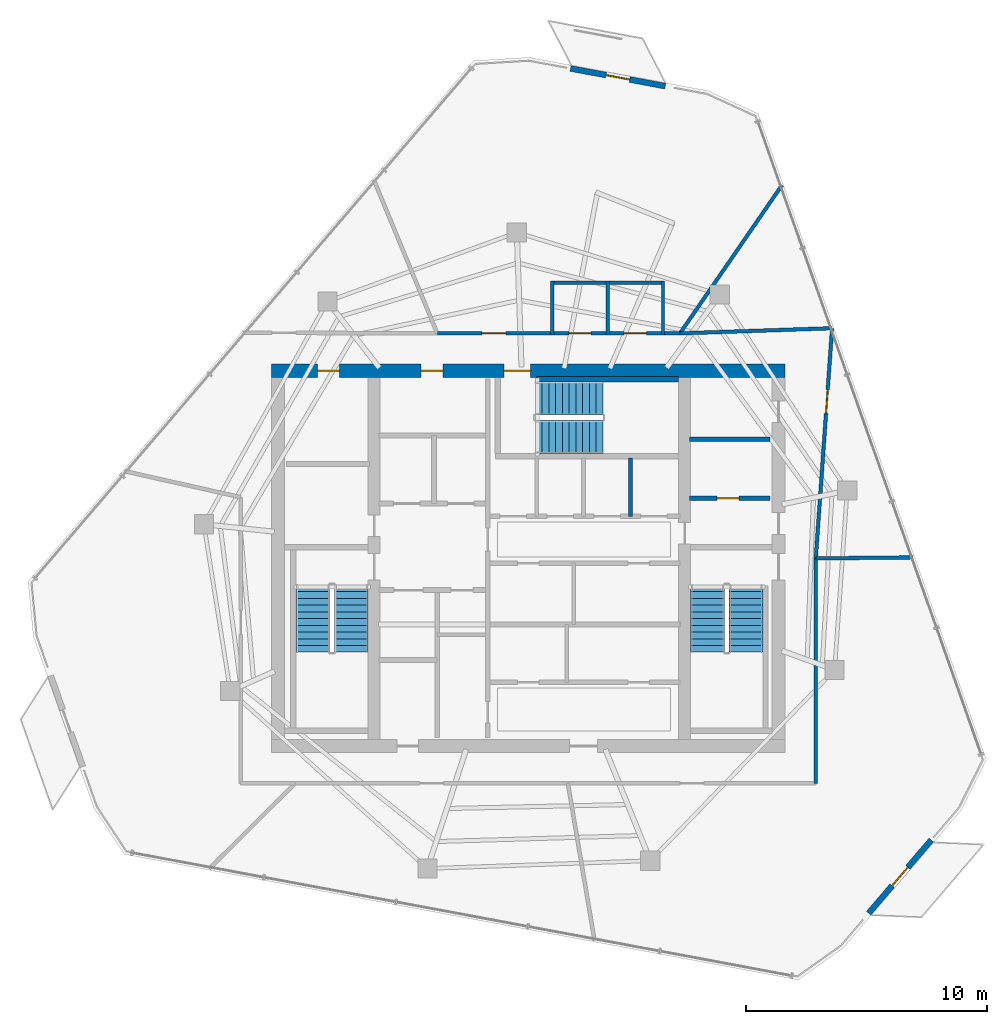
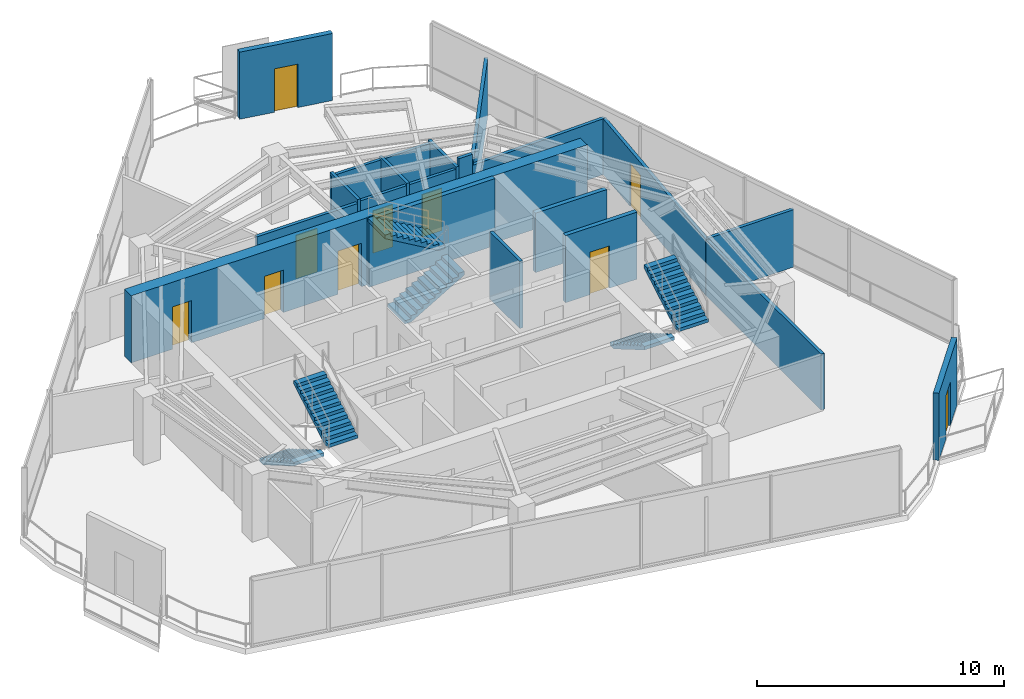
# One storey, part 16 of 18: 21 walls, 10 doors, 6 stair flights, 10 openings, 3 elements without a shape of their own.
"""IFC4 building model written with IfcOpenShell, lengths in metres."""

from ifc_helpers import new_model, si_unit, direction, frame, frame_2d, origin, place, context, subcontext, project, spatial, polyline, rectangle, outline, extrude, material, layer, layer_set, type_object, element, fill, aggregate, save


model = new_model("IFC4")

# Units and contexts
model_context = context("Model", 3, precision=1e-05, world=origin(), true_north=direction((0.0, 1.0)))
body_context = subcontext(model_context, "Body", "Model", "MODEL_VIEW")
ifc_project = project(units=[si_unit("LENGTHUNIT", "METRE"), si_unit("AREAUNIT", "SQUARE_METRE"), si_unit("VOLUMEUNIT", "CUBIC_METRE"), si_unit("PLANEANGLEUNIT", "RADIAN"), si_unit("MASSUNIT", "GRAM", prefix="KILO")], contexts=[model_context])

# Site, building, storey
site_placement = place(None, origin())
site = spatial("IfcSite", under=ifc_project, at=site_placement, CompositionType="ELEMENT")
building_placement = place(site_placement, origin())
building = spatial("IfcBuilding", under=site, at=building_placement, Name="Qarnah Convention Tower", CompositionType="ELEMENT")
storey_placement = place(building_placement, frame((0.0, 0.0, 253.5)))
storey = spatial("IfcBuildingStorey", under=building, at=storey_placement, Name="L68", CompositionType="ELEMENT", Elevation=253.5)

# Wall, openings, doors
ifc_material_1 = material(Name="Concrete C60/75", Category="concrete")
ifc_layer_1 = layer(ifc_material_1, 0.550048828125)
ifc_layer_set_1 = layer_set([ifc_layer_1], Name="Concrete C60/75")
wall_type_1 = type_object("IfcWallType", Name="WL-CORE-550", PredefinedType="SHEAR", material=ifc_layer_set_1)
wall_1_placement = place(storey_placement, frame((26.52490234375, 34.199951171875, 0.0), z_axis=(0.0, 0.0, 1.0), x_axis=(1.0, 0.0, 0.0)))
wall_1 = element("IfcWall", 1, at=wall_1_placement, inside=storey, type_object=wall_type_1, Name="L68 core north shear wall", PredefinedType="SHEAR", context=body_context, shape_type="SweptSolid", body=[
    extrude(rectangle(XDim=21.35009765625, YDim=0.550048828125, at=frame_2d((10.675048828125, 0.0))), origin(), (0.0, 0.0, 1.0), 3.320068359375),
])
opening_1_placement = place(wall_1_placement, frame((9.675048828125, 0.0, 0.0)))
opening_1 = element("IfcOpeningElement", 2, at=opening_1_placement, cuts=wall_1, Name="Opening D-6803", PredefinedType="OPENING", context=body_context, shape_type="SweptSolid", body=[
    extrude(rectangle(XDim=1.10009765625, YDim=2.14990234375, at=frame_2d((0.550048828125, 1.074951171875))), frame((0.0, 0.284912109375, 0.0), z_axis=(0.0, -1.0, 0.0), x_axis=(1.0, 0.0, 0.0)), (0.0, 0.0, 1.0), 0.570068359375),
])
opening_2_placement = place(wall_1_placement, frame((1.925048828125, 0.0, 0.0)))
opening_2 = element("IfcOpeningElement", 3, at=opening_2_placement, cuts=wall_1, Name="Opening D-6809", PredefinedType="OPENING", context=body_context, shape_type="SweptSolid", body=[
    extrude(rectangle(XDim=0.89990234375, YDim=2.10009765625, at=frame_2d((0.449951171875, 1.050048828125))), frame((0.0, 0.284912109375, 0.0), z_axis=(0.0, -1.0, 0.0), x_axis=(1.0, 0.0, 0.0)), (0.0, 0.0, 1.0), 0.570068359375),
])
opening_3_placement = place(wall_1_placement, frame((6.22509765625, 0.0, 0.0)))
opening_3 = element("IfcOpeningElement", 4, at=opening_3_placement, cuts=wall_1, Name="Opening D-6810", PredefinedType="OPENING", context=body_context, shape_type="SweptSolid", body=[
    extrude(rectangle(XDim=0.89990234375, YDim=2.10009765625, at=frame_2d((0.449951171875, 1.050048828125))), frame((0.0, 0.284912109375, 0.0), z_axis=(0.0, -1.0, 0.0), x_axis=(1.0, 0.0, 0.0)), (0.0, 0.0, 1.0), 0.570068359375),
])
ifc_material_2 = material(Name="Structural steel S355JR", Category="steel")
door_type_1 = type_object("IfcDoorType", Name="DT-RISER-900", OperationType="NOTDEFINED", PredefinedType="DOOR", material=ifc_material_2)
door_1_placement = place(opening_2_placement, origin())
door_1 = element("IfcDoor", 5, at=door_1_placement, inside=storey, type_object=door_type_1, Name="Door D-6809", OperationType="SINGLE_SWING_RIGHT", OverallHeight=2.10009765625, OverallWidth=0.89990234375, PredefinedType="DOOR", context=body_context, shape_type="SweptSolid", body=[
    extrude(rectangle(XDim=0.89990234375, YDim=2.10009765625, at=frame_2d((0.449951171875, 1.050048828125))), frame((0.0, 0.02490234375, 0.0), z_axis=(0.0, -1.0, 0.0), x_axis=(1.0, 0.0, 0.0)), (0.0, 0.0, 1.0), 0.050048828125),
])
fill(opening_2, door_1)
door_2_placement = place(opening_3_placement, origin())
door_2 = element("IfcDoor", 6, at=door_2_placement, inside=storey, type_object=door_type_1, Name="Door D-6810", OperationType="SINGLE_SWING_LEFT", OverallHeight=2.10009765625, OverallWidth=0.89990234375, PredefinedType="DOOR", context=body_context, shape_type="SweptSolid", body=[
    extrude(rectangle(XDim=0.89990234375, YDim=2.10009765625, at=frame_2d((0.449951171875, 1.050048828125))), frame((0.0, 0.02490234375, 0.0), z_axis=(0.0, -1.0, 0.0), x_axis=(1.0, 0.0, 0.0)), (0.0, 0.0, 1.0), 0.050048828125),
])
fill(opening_3, door_2)
door_type_2 = type_object("IfcDoorType", Name="DT-STAIR-1100", OperationType="NOTDEFINED", PredefinedType="DOOR", material=ifc_material_2)
door_3_placement = place(opening_1_placement, origin())
door_3 = element("IfcDoor", 7, at=door_3_placement, inside=storey, type_object=door_type_2, Name="Door D-6803", OperationType="SINGLE_SWING_RIGHT", OverallHeight=2.14990234375, OverallWidth=1.10009765625, PredefinedType="DOOR", context=body_context, shape_type="SweptSolid", body=[
    extrude(rectangle(XDim=1.10009765625, YDim=2.14990234375, at=frame_2d((0.550048828125, 1.074951171875))), frame((0.0, 0.02490234375, 0.0), z_axis=(0.0, -1.0, 0.0), x_axis=(1.0, 0.0, 0.0)), (0.0, 0.0, 1.0), 0.050048828125),
])
fill(opening_1, door_3)

# Wall, opening, door
ifc_material_3 = material(Name="Concrete C45/55", Category="concrete")
ifc_layer_2 = layer(ifc_material_3, 0.199951171875)
ifc_layer_set_2 = layer_set([ifc_layer_2], Name="Concrete C45/55")
wall_type_2 = type_object("IfcWallType", Name="WL-CORE-PART-200", PredefinedType="SOLIDWALL", material=ifc_layer_set_2)
wall_2_placement = place(storey_placement, frame((43.89990234375, 28.89990234375, 0.0), z_axis=(0.0, 0.0, 1.0), x_axis=(1.0, 0.0, 0.0)))
wall_2 = element("IfcWall", 8, at=wall_2_placement, inside=storey, type_object=wall_type_2, Name="L68 interior wall IW-L68-EVSTN", PredefinedType="SOLIDWALL", context=body_context, shape_type="SweptSolid", body=[
    extrude(rectangle(XDim=3.35009765625, YDim=0.199951171875, at=frame_2d((1.675048828125, 0.0))), origin(), (0.0, 0.0, 1.0), 3.320068359375),
])
opening_4_placement = place(wall_2_placement, frame((1.14990234375, 0.0, 0.0)))
opening_4 = element("IfcOpeningElement", 9, at=opening_4_placement, cuts=wall_2, Name="Opening D-6811", PredefinedType="OPENING", context=body_context, shape_type="SweptSolid", body=[
    extrude(rectangle(XDim=0.89990234375, YDim=2.10009765625, at=frame_2d((0.449951171875, 1.050048828125))), frame((0.0, 0.10986328125, 0.0), z_axis=(0.0, -1.0, 0.0), x_axis=(1.0, 0.0, 0.0)), (0.0, 0.0, 1.0), 0.219970703125),
])
door_4_placement = place(opening_4_placement, origin())
door_4 = element("IfcDoor", 10, at=door_4_placement, inside=storey, type_object=door_type_1, Name="Door D-6811", OperationType="SINGLE_SWING_RIGHT", OverallHeight=2.10009765625, OverallWidth=0.89990234375, PredefinedType="DOOR", context=body_context, shape_type="SweptSolid", body=[
    extrude(rectangle(XDim=0.89990234375, YDim=2.10009765625, at=frame_2d((0.449951171875, 1.050048828125))), frame((0.0, 0.02490234375, 0.0), z_axis=(0.0, -1.0, 0.0), x_axis=(1.0, 0.0, 0.0)), (0.0, 0.0, 1.0), 0.050048828125),
])
fill(opening_4, door_4)

# Walls
wall_3_placement = place(storey_placement, frame((43.89990234375, 31.35009765625, 0.0), z_axis=(0.0, 0.0, 1.0), x_axis=(1.0, 0.0, 0.0)))
element("IfcWall", 11, at=wall_3_placement, inside=storey, type_object=wall_type_2, Name="L68 interior wall IW-L68-WTRN", PredefinedType="SOLIDWALL", context=body_context, shape_type="SweptSolid", body=[
    extrude(rectangle(XDim=3.35009765625, YDim=0.199951171875, at=frame_2d((1.675048828125, 0.0))), origin(), (0.0, 0.0, 1.0), 2.948974609375),
])
ifc_layer_3 = layer(ifc_material_1, 0.219970703125)
ifc_layer_set_3 = layer_set([ifc_layer_3], Name="Concrete C60/75")
wall_type_3 = type_object("IfcWallType", Name="WL-CORE-STAIR-220", PredefinedType="SHEAR", material=ifc_layer_set_3)
wall_4_placement = place(storey_placement, frame((37.550048828125, 33.840087890625, 0.0), z_axis=(0.0, 0.0, 1.0), x_axis=(1.0, 0.0, 0.0)))
element("IfcWall", 12, at=wall_4_placement, inside=storey, type_object=wall_type_3, Name="L68 stair shaft shear wall SW-L68-ST3N", PredefinedType="SHEAR", context=body_context, shape_type="SweptSolid", body=[
    extrude(rectangle(XDim=5.89990234375, YDim=0.219970703125, at=frame_2d((2.949951171875, 0.0))), origin(), (0.0, 0.0, 1.0), 3.320068359375),
])

# Wall, opening, door
ifc_material_4 = material(Name="Precast concrete C45/55", Category="concrete")
ifc_layer_4 = layer(ifc_material_4, 0.239990234375)
ifc_layer_set_4 = layer_set([ifc_layer_4], Name="Precast concrete C45/55")
wall_type_4 = type_object("IfcWallType", Name="WL-EXT-BAL-240", PredefinedType="SOLIDWALL", material=ifc_layer_set_4)
wall_5_placement = place(storey_placement, frame((38.9599609375, 46.757080078125, 0.0), z_axis=(0.0, 0.0, 1.0), x_axis=(0.983022450047, -0.18348532013, 0.0)))
wall_5 = element("IfcWall", 13, at=wall_5_placement, inside=storey, type_object=wall_type_4, Name="L68 loggia threshold wall BAL-L68-C1", PredefinedType="SOLIDWALL", context=body_context, shape_type="SweptSolid", body=[
    extrude(rectangle(XDim=4.0009765625, YDim=0.239990234375, at=frame_2d((2.00048828125, 0.0))), origin(), (0.0, 0.0, 1.0), 3.320068359375),
])
opening_5_placement = place(wall_5_placement, frame((1.5, 0.0, 0.0)))
opening_5 = element("IfcOpeningElement", 14, at=opening_5_placement, cuts=wall_5, Name="Opening BD-6801", PredefinedType="OPENING", context=body_context, shape_type="SweptSolid", body=[
    extrude(rectangle(XDim=1.0, YDim=2.14990234375, at=frame_2d((0.5, 1.074951171875))), frame((0.0, 0.1298828125, 0.0), z_axis=(0.0, -1.0, 0.0), x_axis=(1.0, 0.0, 0.0)), (0.0, 0.0, 1.0), 0.260009765625),
])
ifc_material_5 = material(Name="Black anodised aluminium", Category="aluminium")
door_type_3 = type_object("IfcDoorType", Name="DT-BAL-1000", OperationType="NOTDEFINED", PredefinedType="DOOR", material=ifc_material_5)
door_5_placement = place(opening_5_placement, origin())
door_5 = element("IfcDoor", 15, at=door_5_placement, inside=storey, type_object=door_type_3, Name="L68 balcony terrace door BAL-L68-C1", OperationType="SINGLE_SWING_LEFT", OverallHeight=2.14990234375, OverallWidth=1.0, PredefinedType="DOOR", context=body_context, shape_type="SweptSolid", body=[
    extrude(rectangle(XDim=1.0, YDim=2.14990234375, at=frame_2d((0.5, 1.074951171875))), frame((0.0, 0.02490234375, 0.0), z_axis=(0.0, -1.0, 0.0), x_axis=(1.0, 0.0, 0.0)), (0.0, 0.0, 1.0), 0.050048828125),
])
fill(opening_5, door_5)

wall_6_placement = place(storey_placement, frame((53.948974609375, 14.697021484375, 0.0), z_axis=(0.0, 0.0, 1.0), x_axis=(-0.650238319911, -0.759730299066, 0.0)))
wall_6 = element("IfcWall", 16, at=wall_6_placement, inside=storey, type_object=wall_type_4, Name="L68 loggia threshold wall BAL-L68-C3", PredefinedType="SOLIDWALL", context=body_context, shape_type="SweptSolid", body=[
    extrude(rectangle(XDim=4.000244140625, YDim=0.239990234375, at=frame_2d((2.0, 0.0))), origin(), (0.0, 0.0, 1.0), 3.320068359375),
])
opening_6_placement = place(wall_6_placement, frame((1.5, 0.0, 0.0)))
opening_6 = element("IfcOpeningElement", 17, at=opening_6_placement, cuts=wall_6, Name="Opening BD-6803", PredefinedType="OPENING", context=body_context, shape_type="SweptSolid", body=[
    extrude(rectangle(XDim=1.0, YDim=2.14990234375, at=frame_2d((0.5, 1.074951171875))), frame((0.0, 0.1298828125, 0.0), z_axis=(0.0, -1.0, 0.0), x_axis=(1.0, 0.0, 0.0)), (0.0, 0.0, 1.0), 0.260009765625),
])
door_6_placement = place(opening_6_placement, origin())
door_6 = element("IfcDoor", 18, at=door_6_placement, inside=storey, type_object=door_type_3, Name="L68 balcony terrace door BAL-L68-C3", OperationType="SINGLE_SWING_LEFT", OverallHeight=2.14990234375, OverallWidth=1.0, PredefinedType="DOOR", context=body_context, shape_type="SweptSolid", body=[
    extrude(rectangle(XDim=1.0, YDim=2.14990234375, at=frame_2d((0.5, 1.074951171875))), frame((0.0, 0.02490234375, 0.0), z_axis=(0.0, -1.0, 0.0), x_axis=(1.0, 0.0, 0.0)), (0.0, 0.0, 1.0), 0.050048828125),
])
fill(opening_6, door_6)

# Wall
ifc_material_6 = material(Name="Gypsum partition board")
ifc_layer_5 = layer(ifc_material_6, 0.14990234375)
ifc_layer_set_5 = layer_set([ifc_layer_5], Name="Gypsum partition board")
wall_type_5 = type_object("IfcWallType", Name="WL-SUITE-150", PredefinedType="PARTITIONING", material=ifc_layer_set_5)
wall_7_placement = place(storey_placement, frame((41.449951171875, 28.14990234375, 0.0), z_axis=(0.0, 0.0, 1.0), x_axis=(0.0, 1.0, 0.0)))
element("IfcWall", 19, at=wall_7_placement, inside=storey, type_object=wall_type_5, Name="L68 interior wall IW-L68-PHD3", PredefinedType="PARTITIONING", context=body_context, shape_type="SweptSolid", body=[
    extrude(rectangle(XDim=2.43017578125, YDim=0.14990234375, at=frame_2d((1.215087890625, 0.0))), origin(), (0.0, 0.0, 1.0), 3.320068359375),
])

# Wall, opening, door
wall_8_placement = place(storey_placement, frame((49.826904296875, 35.962890625, 0.0), z_axis=(0.0, 0.0, 1.0), x_axis=(-0.070617236876, -0.997503486638, 0.0)))
wall_8 = element("IfcWall", 20, at=wall_8_placement, inside=storey, type_object=wall_type_5, Name="L68 interior wall IW-L68-R-08", PredefinedType="PARTITIONING", context=body_context, shape_type="SweptSolid", body=[
    extrude(rectangle(XDim=9.5869140625, YDim=0.14990234375, at=frame_2d((4.79345703125, 0.0))), origin(), (0.0, 0.0, 1.0), 2.764892578125),
])
opening_7_placement = place(wall_8_placement, frame((2.555908203125, 0.0, 0.0)))
opening_7 = element("IfcOpeningElement", 21, at=opening_7_placement, cuts=wall_8, Name="Opening D-6822", PredefinedType="OPENING", context=body_context, shape_type="SweptSolid", body=[
    extrude(rectangle(XDim=1.0, YDim=2.14990234375, at=frame_2d((0.5, 1.074951171875))), frame((0.0, 0.0849609375, 0.0), z_axis=(0.0, -1.0, 0.0), x_axis=(1.0, 0.0, 0.0)), (0.0, 0.0, 1.0), 0.169921875),
])
ifc_material_7 = material(Name="Oak timber veneer", Category="wood")
door_type_4 = type_object("IfcDoorType", Name="DT-OFFICE-1000", OperationType="NOTDEFINED", PredefinedType="DOOR", material=ifc_material_7)
door_7_placement = place(opening_7_placement, origin())
door_7 = element("IfcDoor", 22, at=door_7_placement, inside=storey, type_object=door_type_4, Name="Door D-6822", OperationType="SINGLE_SWING_LEFT", OverallHeight=2.14990234375, OverallWidth=1.0, PredefinedType="DOOR", context=body_context, shape_type="SweptSolid", body=[
    extrude(rectangle(XDim=1.0, YDim=2.14990234375, at=frame_2d((0.5, 1.074951171875))), frame((0.0, 0.02490234375, 0.0), z_axis=(0.0, -1.0, 0.0), x_axis=(1.0, 0.0, 0.0)), (0.0, 0.0, 1.0), 0.050048828125),
])
fill(opening_7, door_7)

# Walls
wall_9_placement = place(storey_placement, frame((49.14990234375, 26.39990234375, 0.0), z_axis=(0.0, 0.0, 1.0), x_axis=(0.999950870239, 0.00991247236, 0.0)))
element("IfcWall", 23, at=wall_9_placement, inside=storey, type_object=wall_type_5, Name="L68 interior wall IW-L68-R-09", PredefinedType="PARTITIONING", context=body_context, shape_type="SweptSolid", body=[
    extrude(rectangle(XDim=4.039306640625, YDim=0.14990234375, at=frame_2d((2.01953125, 0.0))), origin(), (0.0, 0.0, 1.0), 2.844970703125),
])
wall_10_placement = place(storey_placement, frame((47.742919921875, 41.903076171875, 0.0), z_axis=(0.0, 0.0, 1.0), x_axis=(-0.56703776099, -0.823691797708, 0.0)))
element("IfcWall", 24, at=wall_10_placement, inside=storey, type_object=wall_type_5, Name="L68 interior wall IW-L68-R-10", PredefinedType="PARTITIONING", context=body_context, shape_type="SweptSolid", body=[
    extrude(rectangle(XDim=7.47021484375, YDim=0.14990234375, at=frame_2d((3.735107421875, 0.0))), origin(), (0.0, 0.0, 1.0), 2.844970703125),
])
wall_11_placement = place(storey_placement, frame((43.507080078125, 35.75, 0.0), z_axis=(0.0, 0.0, 1.0), x_axis=(0.999433103653, 0.033667065842, 0.0)))
element("IfcWall", 25, at=wall_11_placement, inside=storey, type_object=wall_type_5, Name="L68 interior wall IW-L68-R-11", PredefinedType="PARTITIONING", context=body_context, shape_type="SweptSolid", body=[
    extrude(rectangle(XDim=6.323486328125, YDim=0.14990234375, at=frame_2d((3.16162109375, 0.0))), origin(), (0.0, 0.0, 1.0), 2.764892578125),
])

# Wall, opening, door
wall_12_placement = place(storey_placement, frame((33.422119140625, 35.75, 0.0), z_axis=(0.0, 0.0, 1.0), x_axis=(1.0, 0.0, 0.0)))
wall_12 = element("IfcWall", 26, at=wall_12_placement, inside=storey, type_object=wall_type_5, Name="L68 interior wall IW-L68-R-13", PredefinedType="PARTITIONING", context=body_context, shape_type="SweptSolid", body=[
    extrude(rectangle(XDim=4.707763671875, YDim=0.14990234375, at=frame_2d((2.35400390625, 0.0))), origin(), (0.0, 0.0, 1.0), 2.764892578125),
])
opening_8_placement = place(wall_12_placement, frame((1.85400390625, 0.0, 0.0)))
opening_8 = element("IfcOpeningElement", 27, at=opening_8_placement, cuts=wall_12, Name="Opening D-6823", PredefinedType="OPENING", context=body_context, shape_type="SweptSolid", body=[
    extrude(rectangle(XDim=1.0, YDim=2.14990234375, at=frame_2d((0.5, 1.074951171875))), frame((0.0, 0.0849609375, 0.0), z_axis=(0.0, -1.0, 0.0), x_axis=(1.0, 0.0, 0.0)), (0.0, 0.0, 1.0), 0.169921875),
])
door_8_placement = place(opening_8_placement, origin())
door_8 = element("IfcDoor", 28, at=door_8_placement, inside=storey, type_object=door_type_4, Name="Door D-6823", OperationType="SINGLE_SWING_RIGHT", OverallHeight=2.14990234375, OverallWidth=1.0, PredefinedType="DOOR", context=body_context, shape_type="SweptSolid", body=[
    extrude(rectangle(XDim=1.0, YDim=2.14990234375, at=frame_2d((0.5, 1.074951171875))), frame((0.0, 0.02490234375, 0.0), z_axis=(0.0, -1.0, 0.0), x_axis=(1.0, 0.0, 0.0)), (0.0, 0.0, 1.0), 0.050048828125),
])
fill(opening_8, door_8)

# Walls
wall_13_placement = place(storey_placement, frame((42.8701171875, 35.75, 0.0), z_axis=(0.0, 0.0, 1.0), x_axis=(1.0, 0.0, 0.0)))
element("IfcWall", 29, at=wall_13_placement, inside=storey, type_object=wall_type_5, Name="L68 interior wall IW-L68-R-14", PredefinedType="PARTITIONING", context=body_context, shape_type="SweptSolid", body=[
    extrude(rectangle(XDim=0.636962890625, YDim=0.14990234375, at=frame_2d((0.318359375, 0.0))), origin(), (0.0, 0.0, 1.0), 3.320068359375),
])
wall_14_placement = place(storey_placement, frame((49.14990234375, 26.39990234375, 0.0), z_axis=(0.0, 0.0, 1.0), x_axis=(0.0, -1.0, 0.0)))
element("IfcWall", 30, at=wall_14_placement, inside=storey, type_object=wall_type_5, Name="L68 interior wall IW-L68-R-22", PredefinedType="PARTITIONING", context=body_context, shape_type="SweptSolid", body=[
    extrude(rectangle(XDim=9.349853515625, YDim=0.14990234375, at=frame_2d((4.6748046875, 0.0))), origin(), (0.0, 0.0, 1.0), 2.764892578125),
])

# Wall, opening, door
ifc_layer_6 = layer(ifc_material_6, 0.139892578125)
ifc_layer_set_6 = layer_set([ifc_layer_6], Name="Gypsum partition board")
wall_type_6 = type_object("IfcWallType", Name="WL-WET-140", PredefinedType="PARTITIONING", material=ifc_layer_set_6)
wall_15_placement = place(storey_placement, frame((38.1298828125, 35.75, 0.0), z_axis=(0.0, 0.0, 1.0), x_axis=(1.0, 0.0, 0.0)))
wall_15 = element("IfcWall", 31, at=wall_15_placement, inside=storey, type_object=wall_type_6, Name="L68 interior wall IW-L68-WCM-1", PredefinedType="PARTITIONING", context=body_context, shape_type="SweptSolid", body=[
    extrude(rectangle(XDim=2.440185546875, YDim=0.139892578125, at=frame_2d((1.22021484375, 0.0))), origin(), (0.0, 0.0, 1.0), 2.841064453125),
])
opening_9_placement = place(wall_15_placement, frame((0.760009765625, 0.0, 0.0)))
opening_9 = element("IfcOpeningElement", 32, at=opening_9_placement, cuts=wall_15, Name="Opening D-6820", PredefinedType="OPENING", context=body_context, shape_type="SweptSolid", body=[
    extrude(rectangle(XDim=0.919921875, YDim=2.10009765625, at=frame_2d((0.4599609375, 1.050048828125))), frame((0.0, 0.079833984375, 0.0), z_axis=(0.0, -1.0, 0.0), x_axis=(1.0, 0.0, 0.0)), (0.0, 0.0, 1.0), 0.159912109375),
])
door_type_5 = type_object("IfcDoorType", Name="DT-WC-920", OperationType="NOTDEFINED", PredefinedType="DOOR", material=ifc_material_7)
door_9_placement = place(opening_9_placement, origin())
door_9 = element("IfcDoor", 33, at=door_9_placement, inside=storey, type_object=door_type_5, Name="Door D-6820", OperationType="SINGLE_SWING_LEFT", OverallHeight=2.10009765625, OverallWidth=0.919921875, PredefinedType="DOOR", context=body_context, shape_type="SweptSolid", body=[
    extrude(rectangle(XDim=0.919921875, YDim=2.10009765625, at=frame_2d((0.4599609375, 1.050048828125))), frame((0.0, 0.02490234375, 0.0), z_axis=(0.0, -1.0, 0.0), x_axis=(1.0, 0.0, 0.0)), (0.0, 0.0, 1.0), 0.050048828125),
])
fill(opening_9, door_9)

# Walls
wall_16_placement = place(storey_placement, frame((40.5, 35.679931640625, 0.0), z_axis=(0.0, 0.0, 1.0), x_axis=(0.0, 1.0, 0.0)))
element("IfcWall", 34, at=wall_16_placement, inside=storey, type_object=wall_type_6, Name="L68 interior wall IW-L68-WCM-2", PredefinedType="PARTITIONING", context=body_context, shape_type="SweptSolid", body=[
    extrude(rectangle(XDim=2.239990234375, YDim=0.139892578125, at=frame_2d((1.1201171875, 0.0))), origin(), (0.0, 0.0, 1.0), 2.948974609375),
])
wall_17_placement = place(storey_placement, frame((40.570068359375, 37.85009765625, 0.0), z_axis=(0.0, 0.0, 1.0), x_axis=(-1.0, 0.0, 0.0)))
element("IfcWall", 35, at=wall_17_placement, inside=storey, type_object=wall_type_6, Name="L68 interior wall IW-L68-WCM-3", PredefinedType="PARTITIONING", context=body_context, shape_type="SweptSolid", body=[
    extrude(rectangle(XDim=2.440185546875, YDim=0.139892578125, at=frame_2d((1.22021484375, 0.0))), origin(), (0.0, 0.0, 1.0), 2.841064453125),
])
wall_18_placement = place(storey_placement, frame((38.199951171875, 37.919921875, 0.0), z_axis=(0.0, 0.0, 1.0), x_axis=(0.0, -1.0, 0.0)))
element("IfcWall", 36, at=wall_18_placement, inside=storey, type_object=wall_type_6, Name="L68 interior wall IW-L68-WCM-4", PredefinedType="PARTITIONING", context=body_context, shape_type="SweptSolid", body=[
    extrude(rectangle(XDim=2.239990234375, YDim=0.139892578125, at=frame_2d((1.1201171875, 0.0))), origin(), (0.0, 0.0, 1.0), 2.948974609375),
])

# Wall, opening, door
wall_19_placement = place(storey_placement, frame((40.429931640625, 35.75, 0.0), z_axis=(0.0, 0.0, 1.0), x_axis=(1.0, 0.0, 0.0)))
wall_19 = element("IfcWall", 37, at=wall_19_placement, inside=storey, type_object=wall_type_6, Name="L68 interior wall IW-L68-WCF-1", PredefinedType="PARTITIONING", context=body_context, shape_type="SweptSolid", body=[
    extrude(rectangle(XDim=2.440185546875, YDim=0.139892578125, at=frame_2d((1.22021484375, 0.0))), origin(), (0.0, 0.0, 1.0), 2.841064453125),
])
opening_10_placement = place(wall_19_placement, frame((0.760009765625, 0.0, 0.0)))
opening_10 = element("IfcOpeningElement", 38, at=opening_10_placement, cuts=wall_19, Name="Opening D-6821", PredefinedType="OPENING", context=body_context, shape_type="SweptSolid", body=[
    extrude(rectangle(XDim=0.919921875, YDim=2.10009765625, at=frame_2d((0.4599609375, 1.050048828125))), frame((0.0, 0.079833984375, 0.0), z_axis=(0.0, -1.0, 0.0), x_axis=(1.0, 0.0, 0.0)), (0.0, 0.0, 1.0), 0.159912109375),
])
door_10_placement = place(opening_10_placement, origin())
door_10 = element("IfcDoor", 39, at=door_10_placement, inside=storey, type_object=door_type_5, Name="Door D-6821", OperationType="SINGLE_SWING_RIGHT", OverallHeight=2.10009765625, OverallWidth=0.919921875, PredefinedType="DOOR", context=body_context, shape_type="SweptSolid", body=[
    extrude(rectangle(XDim=0.919921875, YDim=2.10009765625, at=frame_2d((0.4599609375, 1.050048828125))), frame((0.0, 0.02490234375, 0.0), z_axis=(0.0, -1.0, 0.0), x_axis=(1.0, 0.0, 0.0)), (0.0, 0.0, 1.0), 0.050048828125),
])
fill(opening_10, door_10)

# Walls
wall_20_placement = place(storey_placement, frame((42.800048828125, 35.679931640625, 0.0), z_axis=(0.0, 0.0, 1.0), x_axis=(0.0, 1.0, 0.0)))
element("IfcWall", 40, at=wall_20_placement, inside=storey, type_object=wall_type_6, Name="L68 interior wall IW-L68-WCF-2", PredefinedType="PARTITIONING", context=body_context, shape_type="SweptSolid", body=[
    extrude(rectangle(XDim=2.239990234375, YDim=0.139892578125, at=frame_2d((1.1201171875, 0.0))), origin(), (0.0, 0.0, 1.0), 2.948974609375),
])
wall_21_placement = place(storey_placement, frame((42.8701171875, 37.85009765625, 0.0), z_axis=(0.0, 0.0, 1.0), x_axis=(-1.0, 0.0, 0.0)))
element("IfcWall", 41, at=wall_21_placement, inside=storey, type_object=wall_type_6, Name="L68 interior wall IW-L68-WCF-3", PredefinedType="PARTITIONING", context=body_context, shape_type="SweptSolid", body=[
    extrude(rectangle(XDim=2.440185546875, YDim=0.139892578125, at=frame_2d((1.22021484375, 0.0))), origin(), (0.0, 0.0, 1.0), 2.841064453125),
])

# Stair, stair flights
ifc_material_8 = material(Name="Concrete C50/60", Category="concrete")
stair_type = type_object("IfcStairType", Name="STR-OFF", PredefinedType="HALF_TURN_STAIR", material=ifc_material_8)
stair_1_placement = place(storey_placement, origin())
stair_1 = element("IfcStair", 42, at=stair_1_placement, inside=storey, type_object=stair_type, Name="L68 Core exit stair ST-1", PredefinedType="HALF_TURN_STAIR")
stair_flight_type = type_object("IfcStairFlightType", Name="FLT-OFF", PredefinedType="STRAIGHT", material=ifc_material_8)
stair_flight_1_placement = place(storey_placement, frame((28.25, 25.300048828125, 0.0), z_axis=(0.0, 0.0, 1.0), x_axis=(0.0, -1.0, 0.0)))
stair_flight_1 = element("IfcStairFlight", 43, at=stair_flight_1_placement, type_object=stair_flight_type, Name="ST-1 flight 1", NumberOfRisers=11, NumberOfTreads=10, PredefinedType="STRAIGHT", RiserHeight=0.163636364, TreadLength=0.28, context=body_context, shape_type="SweptSolid", body=[
    extrude(outline(polyline([(0.0, 0.0), (0.0, 0.16357421875), (0.280029296875, 0.16357421875), (0.280029296875, 0.327392578125), (0.56005859375, 0.327392578125), (0.56005859375, 0.490966796875), (0.840087890625, 0.490966796875), (0.840087890625, 0.654541015625), (1.1201171875, 0.654541015625), (1.1201171875, 0.818115234375), (1.39990234375, 0.818115234375), (1.39990234375, 0.98193359375), (1.679931640625, 0.98193359375), (1.679931640625, 1.1455078125), (1.9599609375, 1.1455078125), (1.9599609375, 1.30908203125), (2.239990234375, 1.30908203125), (2.239990234375, 1.47265625), (2.52001953125, 1.47265625), (2.52001953125, 1.636474609375), (2.800048828125, 1.636474609375), (2.800048828125, 1.800048828125), (2.800048828125, 1.462646484375), (0.297119140625, 0.0), (0.0, 0.0)])), frame((0.0, 0.699951171875, 0.0), z_axis=(0.0, -1.0, 0.0), x_axis=(1.0, 0.0, 0.0)), (0.0, 0.0, 1.0), 1.39990234375),
])
stair_flight_2_placement = place(storey_placement, frame((29.85009765625, 22.5, 1.800048828125), z_axis=(0.0, 0.0, 1.0), x_axis=(0.0, 1.0, 0.0)))
stair_flight_2 = element("IfcStairFlight", 44, at=stair_flight_2_placement, type_object=stair_flight_type, Name="ST-1 flight 2", NumberOfRisers=11, NumberOfTreads=10, PredefinedType="STRAIGHT", RiserHeight=0.163636364, TreadLength=0.28, context=body_context, shape_type="SweptSolid", body=[
    extrude(outline(polyline([(0.0, 0.0), (0.0, 0.16357421875), (0.280029296875, 0.16357421875), (0.280029296875, 0.327392578125), (0.56005859375, 0.327392578125), (0.56005859375, 0.490966796875), (0.840087890625, 0.490966796875), (0.840087890625, 0.654541015625), (1.1201171875, 0.654541015625), (1.1201171875, 0.818115234375), (1.39990234375, 0.818115234375), (1.39990234375, 0.98193359375), (1.679931640625, 0.98193359375), (1.679931640625, 1.1455078125), (1.9599609375, 1.1455078125), (1.9599609375, 1.30908203125), (2.239990234375, 1.30908203125), (2.239990234375, 1.47265625), (2.52001953125, 1.47265625), (2.52001953125, 1.636474609375), (2.800048828125, 1.636474609375), (2.800048828125, 1.800048828125), (2.800048828125, 1.462646484375), (0.297119140625, 0.0), (0.0, 0.0)])), frame((0.0, 0.699951171875, 0.0), z_axis=(0.0, -1.0, 0.0), x_axis=(1.0, 0.0, 0.0)), (0.0, 0.0, 1.0), 1.39990234375),
])
aggregate(stair_1, [stair_flight_1, stair_flight_2])

stair_2_placement = place(storey_placement, origin())
stair_2 = element("IfcStair", 45, at=stair_2_placement, inside=storey, type_object=stair_type, Name="L68 Core exit stair ST-2", PredefinedType="HALF_TURN_STAIR")
stair_flight_3_placement = place(storey_placement, frame((44.64990234375, 25.300048828125, 0.0), z_axis=(0.0, 0.0, 1.0), x_axis=(0.0, -1.0, 0.0)))
stair_flight_3 = element("IfcStairFlight", 46, at=stair_flight_3_placement, type_object=stair_flight_type, Name="ST-2 flight 1", NumberOfRisers=11, NumberOfTreads=10, PredefinedType="STRAIGHT", RiserHeight=0.163636364, TreadLength=0.28, context=body_context, shape_type="SweptSolid", body=[
    extrude(outline(polyline([(0.0, 0.0), (0.0, 0.16357421875), (0.280029296875, 0.16357421875), (0.280029296875, 0.327392578125), (0.56005859375, 0.327392578125), (0.56005859375, 0.490966796875), (0.840087890625, 0.490966796875), (0.840087890625, 0.654541015625), (1.1201171875, 0.654541015625), (1.1201171875, 0.818115234375), (1.39990234375, 0.818115234375), (1.39990234375, 0.98193359375), (1.679931640625, 0.98193359375), (1.679931640625, 1.1455078125), (1.9599609375, 1.1455078125), (1.9599609375, 1.30908203125), (2.239990234375, 1.30908203125), (2.239990234375, 1.47265625), (2.52001953125, 1.47265625), (2.52001953125, 1.636474609375), (2.800048828125, 1.636474609375), (2.800048828125, 1.800048828125), (2.800048828125, 1.462646484375), (0.297119140625, 0.0), (0.0, 0.0)])), frame((0.0, 0.699951171875, 0.0), z_axis=(0.0, -1.0, 0.0), x_axis=(1.0, 0.0, 0.0)), (0.0, 0.0, 1.0), 1.39990234375),
])
stair_flight_4_placement = place(storey_placement, frame((46.25, 22.5, 1.800048828125), z_axis=(0.0, 0.0, 1.0), x_axis=(0.0, 1.0, 0.0)))
stair_flight_4 = element("IfcStairFlight", 47, at=stair_flight_4_placement, type_object=stair_flight_type, Name="ST-2 flight 2", NumberOfRisers=11, NumberOfTreads=10, PredefinedType="STRAIGHT", RiserHeight=0.163636364, TreadLength=0.28, context=body_context, shape_type="SweptSolid", body=[
    extrude(outline(polyline([(0.0, 0.0), (0.0, 0.16357421875), (0.280029296875, 0.16357421875), (0.280029296875, 0.327392578125), (0.56005859375, 0.327392578125), (0.56005859375, 0.490966796875), (0.840087890625, 0.490966796875), (0.840087890625, 0.654541015625), (1.1201171875, 0.654541015625), (1.1201171875, 0.818115234375), (1.39990234375, 0.818115234375), (1.39990234375, 0.98193359375), (1.679931640625, 0.98193359375), (1.679931640625, 1.1455078125), (1.9599609375, 1.1455078125), (1.9599609375, 1.30908203125), (2.239990234375, 1.30908203125), (2.239990234375, 1.47265625), (2.52001953125, 1.47265625), (2.52001953125, 1.636474609375), (2.800048828125, 1.636474609375), (2.800048828125, 1.800048828125), (2.800048828125, 1.462646484375), (0.297119140625, 0.0), (0.0, 0.0)])), frame((0.0, 0.699951171875, 0.0), z_axis=(0.0, -1.0, 0.0), x_axis=(1.0, 0.0, 0.0)), (0.0, 0.0, 1.0), 1.39990234375),
])
aggregate(stair_2, [stair_flight_3, stair_flight_4])

stair_3_placement = place(storey_placement, origin())
stair_3 = element("IfcStair", 48, at=stair_3_placement, inside=storey, type_object=stair_type, Name="L68 Core exit stair ST-3", PredefinedType="HALF_TURN_STAIR")
stair_flight_5_placement = place(storey_placement, frame((37.5, 31.449951171875, 0.0), z_axis=(0.0, 0.0, 1.0), x_axis=(1.0, 0.0, 0.0)))
stair_flight_5 = element("IfcStairFlight", 49, at=stair_flight_5_placement, type_object=stair_flight_type, Name="ST-3 flight 1", NumberOfRisers=11, NumberOfTreads=10, PredefinedType="STRAIGHT", RiserHeight=0.163636364, TreadLength=0.28, context=body_context, shape_type="SweptSolid", body=[
    extrude(outline(polyline([(0.0, 0.0), (0.0, 0.16357421875), (0.280029296875, 0.16357421875), (0.280029296875, 0.327392578125), (0.56005859375, 0.327392578125), (0.56005859375, 0.490966796875), (0.840087890625, 0.490966796875), (0.840087890625, 0.654541015625), (1.1201171875, 0.654541015625), (1.1201171875, 0.818115234375), (1.39990234375, 0.818115234375), (1.39990234375, 0.98193359375), (1.679931640625, 0.98193359375), (1.679931640625, 1.1455078125), (1.9599609375, 1.1455078125), (1.9599609375, 1.30908203125), (2.239990234375, 1.30908203125), (2.239990234375, 1.47265625), (2.52001953125, 1.47265625), (2.52001953125, 1.636474609375), (2.800048828125, 1.636474609375), (2.800048828125, 1.800048828125), (2.800048828125, 1.462646484375), (0.297119140625, 0.0), (0.0, 0.0)])), frame((0.0, 0.699951171875, 0.0), z_axis=(0.0, -1.0, 0.0), x_axis=(1.0, 0.0, 0.0)), (0.0, 0.0, 1.0), 1.39990234375),
])
stair_flight_6_placement = place(storey_placement, frame((40.300048828125, 33.050048828125, 1.800048828125), z_axis=(0.0, 0.0, 1.0), x_axis=(-1.0, 0.0, 0.0)))
stair_flight_6 = element("IfcStairFlight", 50, at=stair_flight_6_placement, type_object=stair_flight_type, Name="ST-3 flight 2", NumberOfRisers=11, NumberOfTreads=10, PredefinedType="STRAIGHT", RiserHeight=0.163636364, TreadLength=0.28, context=body_context, shape_type="SweptSolid", body=[
    extrude(outline(polyline([(0.0, 0.0), (0.0, 0.16357421875), (0.280029296875, 0.16357421875), (0.280029296875, 0.327392578125), (0.56005859375, 0.327392578125), (0.56005859375, 0.490966796875), (0.840087890625, 0.490966796875), (0.840087890625, 0.654541015625), (1.1201171875, 0.654541015625), (1.1201171875, 0.818115234375), (1.39990234375, 0.818115234375), (1.39990234375, 0.98193359375), (1.679931640625, 0.98193359375), (1.679931640625, 1.1455078125), (1.9599609375, 1.1455078125), (1.9599609375, 1.30908203125), (2.239990234375, 1.30908203125), (2.239990234375, 1.47265625), (2.52001953125, 1.47265625), (2.52001953125, 1.636474609375), (2.800048828125, 1.636474609375), (2.800048828125, 1.800048828125), (2.800048828125, 1.462646484375), (0.297119140625, 0.0), (0.0, 0.0)])), frame((0.0, 0.699951171875, 0.0), z_axis=(0.0, -1.0, 0.0), x_axis=(1.0, 0.0, 0.0)), (0.0, 0.0, 1.0), 1.39990234375),
])
aggregate(stair_3, [stair_flight_5, stair_flight_6])

save(model, "model.ifc")
